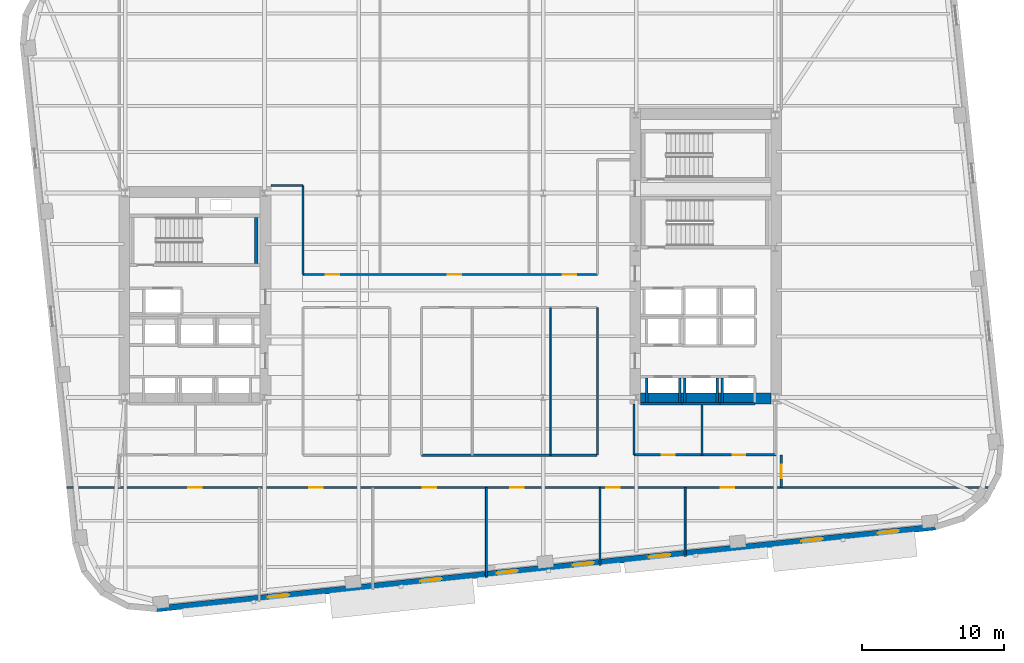
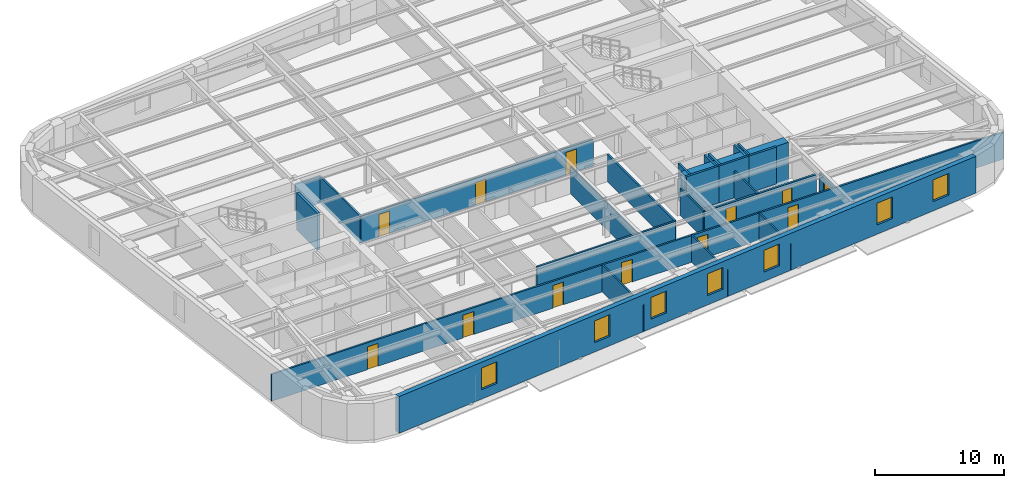
# One storey, part 5 of 11: 25 walls, 12 doors, 7 windows, 19 openings.
"""IFC4 building model written with IfcOpenShell, lengths in metres."""

from ifc_helpers import new_model, si_unit, direction, frame, frame_2d, origin, place, context, subcontext, project, spatial, rectangle, extrude, material, layer, layer_set, type_object, element, fill, save


model = new_model("IFC4")

# Units and contexts
model_context = context("Model", 3, precision=1e-05, world=origin(), true_north=direction((0.0, 1.0)))
body_context = subcontext(model_context, "Body", "Model", "MODEL_VIEW")
ifc_project = project(units=[si_unit("LENGTHUNIT", "METRE"), si_unit("AREAUNIT", "SQUARE_METRE"), si_unit("VOLUMEUNIT", "CUBIC_METRE"), si_unit("PLANEANGLEUNIT", "RADIAN"), si_unit("MASSUNIT", "GRAM", prefix="KILO")], contexts=[model_context])

# Site, building, storey
site_placement = place(None, origin())
site = spatial("IfcSite", under=ifc_project, at=site_placement, CompositionType="ELEMENT")
building_placement = place(site_placement, origin())
building = spatial("IfcBuilding", under=site, at=building_placement, Name="Kolvaren Arena Tower", CompositionType="ELEMENT")
storey_placement = place(building_placement, frame((0.0, 0.0, 103.449951171875)))
storey = spatial("IfcBuildingStorey", under=building, at=storey_placement, Name="L23", CompositionType="ELEMENT", Elevation=103.449951171875)

# Wall, openings, doors
ifc_material_1 = material(Name="Gypsum board acoustic assembly", Category="gypsum")
ifc_layer_1 = layer(ifc_material_1, 0.159912109375)
ifc_layer_set_1 = layer_set([ifc_layer_1], Name="Gypsum board acoustic assembly")
wall_type_1 = type_object("IfcWallType", Name="CORR-160", PredefinedType="PARTITIONING", material=ifc_layer_set_1)
wall_1_placement = place(storey_placement, frame((10.41552734375, 13.10009765625, 0.0), z_axis=(0.0, 0.0, 1.0), x_axis=(1.0, 0.0, 0.0)))
wall_1 = element("IfcWall", 1, at=wall_1_placement, inside=storey, type_object=wall_type_1, Name="Interior Partition Wall (L23)", PredefinedType="PARTITIONING", context=body_context, shape_type="SweptSolid", body=[
    extrude(rectangle(XDim=65.414794921875, YDim=0.159912109375, at=frame_2d((32.70751953125, 0.0))), origin(), (0.0, 0.0, 1.0), 2.5400390625),
])
opening_1_placement = place(wall_1_placement, frame((8.5595703125, 0.0, 0.0)))
opening_1 = element("IfcOpeningElement", 2, at=opening_1_placement, cuts=wall_1, Name="Opening D05", PredefinedType="OPENING", context=body_context, shape_type="SweptSolid", body=[
    extrude(rectangle(XDim=0.949951171875, YDim=2.14990234375, at=frame_2d((0.47509765625, 1.074951171875))), frame((0.0, 0.08984375, 0.0), z_axis=(0.0, -1.0, 0.0), x_axis=(1.0, 0.0, 0.0)), (0.0, 0.0, 1.0), 0.179931640625),
])
opening_2_placement = place(wall_1_placement, frame((17.109619140625, 0.0, 0.0)))
opening_2 = element("IfcOpeningElement", 3, at=opening_2_placement, cuts=wall_1, Name="Opening D05", PredefinedType="OPENING", context=body_context, shape_type="SweptSolid", body=[
    extrude(rectangle(XDim=0.949951171875, YDim=2.14990234375, at=frame_2d((0.47509765625, 1.074951171875))), frame((0.0, 0.08984375, 0.0), z_axis=(0.0, -1.0, 0.0), x_axis=(1.0, 0.0, 0.0)), (0.0, 0.0, 1.0), 0.179931640625),
])
opening_3_placement = place(wall_1_placement, frame((25.109619140625, 0.0, 0.0)))
opening_3 = element("IfcOpeningElement", 4, at=opening_3_placement, cuts=wall_1, Name="Opening D05", PredefinedType="OPENING", context=body_context, shape_type="SweptSolid", body=[
    extrude(rectangle(XDim=0.949951171875, YDim=2.14990234375, at=frame_2d((0.47509765625, 1.074951171875))), frame((0.0, 0.08984375, 0.0), z_axis=(0.0, -1.0, 0.0), x_axis=(1.0, 0.0, 0.0)), (0.0, 0.0, 1.0), 0.179931640625),
])
opening_4_placement = place(wall_1_placement, frame((31.259521484375, 0.0, 0.0)))
opening_4 = element("IfcOpeningElement", 5, at=opening_4_placement, cuts=wall_1, Name="Opening D05", PredefinedType="OPENING", context=body_context, shape_type="SweptSolid", body=[
    extrude(rectangle(XDim=0.949951171875, YDim=2.14990234375, at=frame_2d((0.47509765625, 1.074951171875))), frame((0.0, 0.08984375, 0.0), z_axis=(0.0, -1.0, 0.0), x_axis=(1.0, 0.0, 0.0)), (0.0, 0.0, 1.0), 0.179931640625),
])
opening_5_placement = place(wall_1_placement, frame((38.034423828125, 0.0, 0.0)))
opening_5 = element("IfcOpeningElement", 6, at=opening_5_placement, cuts=wall_1, Name="Opening D05", PredefinedType="OPENING", context=body_context, shape_type="SweptSolid", body=[
    extrude(rectangle(XDim=0.949951171875, YDim=2.14990234375, at=frame_2d((0.47509765625, 1.074951171875))), frame((0.0, 0.08984375, 0.0), z_axis=(0.0, -1.0, 0.0), x_axis=(1.0, 0.0, 0.0)), (0.0, 0.0, 1.0), 0.179931640625),
])
opening_6_placement = place(wall_1_placement, frame((46.109619140625, 0.0, 0.0)))
opening_6 = element("IfcOpeningElement", 7, at=opening_6_placement, cuts=wall_1, Name="Opening D05", PredefinedType="OPENING", context=body_context, shape_type="SweptSolid", body=[
    extrude(rectangle(XDim=0.949951171875, YDim=2.14990234375, at=frame_2d((0.47509765625, 1.074951171875))), frame((0.0, 0.08984375, 0.0), z_axis=(0.0, -1.0, 0.0), x_axis=(1.0, 0.0, 0.0)), (0.0, 0.0, 1.0), 0.179931640625),
])
ifc_material_2 = material(Name="Solid-core oak acoustic office door", Category="wood")
door_type_1 = type_object("IfcDoorType", Name="DOOR-OF-095", OperationType="NOTDEFINED", PredefinedType="DOOR", material=ifc_material_2)
door_1_placement = place(opening_1_placement, origin())
door_1 = element("IfcDoor", 8, at=door_1_placement, inside=storey, type_object=door_type_1, Name="Training Seminar Room Door (L23)", OperationType="SINGLE_SWING_LEFT", OverallHeight=2.14990234375, OverallWidth=0.949951171875, PredefinedType="DOOR", context=body_context, shape_type="SweptSolid", body=[
    extrude(rectangle(XDim=0.949951171875, YDim=2.14990234375, at=frame_2d((0.47509765625, 1.074951171875))), frame((0.0, 0.02490234375, 0.0), z_axis=(0.0, -1.0, 0.0), x_axis=(1.0, 0.0, 0.0)), (0.0, 0.0, 1.0), 0.050048828125),
])
fill(opening_1, door_1)
door_2_placement = place(opening_2_placement, origin())
door_2 = element("IfcDoor", 9, at=door_2_placement, inside=storey, type_object=door_type_1, Name="Training Seminar Room Door (L23)", OperationType="SINGLE_SWING_RIGHT", OverallHeight=2.14990234375, OverallWidth=0.949951171875, PredefinedType="DOOR", context=body_context, shape_type="SweptSolid", body=[
    extrude(rectangle(XDim=0.949951171875, YDim=2.14990234375, at=frame_2d((0.47509765625, 1.074951171875))), frame((0.0, 0.02490234375, 0.0), z_axis=(0.0, -1.0, 0.0), x_axis=(1.0, 0.0, 0.0)), (0.0, 0.0, 1.0), 0.050048828125),
])
fill(opening_2, door_2)
door_3_placement = place(opening_3_placement, origin())
door_3 = element("IfcDoor", 10, at=door_3_placement, inside=storey, type_object=door_type_1, Name="Client Lounge Door (L23)", OperationType="SINGLE_SWING_LEFT", OverallHeight=2.14990234375, OverallWidth=0.949951171875, PredefinedType="DOOR", context=body_context, shape_type="SweptSolid", body=[
    extrude(rectangle(XDim=0.949951171875, YDim=2.14990234375, at=frame_2d((0.47509765625, 1.074951171875))), frame((0.0, 0.02490234375, 0.0), z_axis=(0.0, -1.0, 0.0), x_axis=(1.0, 0.0, 0.0)), (0.0, 0.0, 1.0), 0.050048828125),
])
fill(opening_3, door_3)
door_4_placement = place(opening_4_placement, origin())
door_4 = element("IfcDoor", 11, at=door_4_placement, inside=storey, type_object=door_type_1, Name="Boardroom Door (L23)", OperationType="SINGLE_SWING_RIGHT", OverallHeight=2.14990234375, OverallWidth=0.949951171875, PredefinedType="DOOR", context=body_context, shape_type="SweptSolid", body=[
    extrude(rectangle(XDim=0.949951171875, YDim=2.14990234375, at=frame_2d((0.47509765625, 1.074951171875))), frame((0.0, 0.02490234375, 0.0), z_axis=(0.0, -1.0, 0.0), x_axis=(1.0, 0.0, 0.0)), (0.0, 0.0, 1.0), 0.050048828125),
])
fill(opening_4, door_4)
door_5_placement = place(opening_5_placement, origin())
door_5 = element("IfcDoor", 12, at=door_5_placement, inside=storey, type_object=door_type_1, Name="Breakout Pantry and Kitchen Door (L23)", OperationType="SINGLE_SWING_LEFT", OverallHeight=2.14990234375, OverallWidth=0.949951171875, PredefinedType="DOOR", context=body_context, shape_type="SweptSolid", body=[
    extrude(rectangle(XDim=0.949951171875, YDim=2.14990234375, at=frame_2d((0.47509765625, 1.074951171875))), frame((0.0, 0.02490234375, 0.0), z_axis=(0.0, -1.0, 0.0), x_axis=(1.0, 0.0, 0.0)), (0.0, 0.0, 1.0), 0.050048828125),
])
fill(opening_5, door_5)
door_6_placement = place(opening_6_placement, origin())
door_6 = element("IfcDoor", 13, at=door_6_placement, inside=storey, type_object=door_type_1, Name="Design Studio Door (L23)", OperationType="SINGLE_SWING_RIGHT", OverallHeight=2.14990234375, OverallWidth=0.949951171875, PredefinedType="DOOR", context=body_context, shape_type="SweptSolid", body=[
    extrude(rectangle(XDim=0.949951171875, YDim=2.14990234375, at=frame_2d((0.47509765625, 1.074951171875))), frame((0.0, 0.02490234375, 0.0), z_axis=(0.0, -1.0, 0.0), x_axis=(1.0, 0.0, 0.0)), (0.0, 0.0, 1.0), 0.050048828125),
])
fill(opening_6, door_6)

wall_2_placement = place(storey_placement, frame((27.080078125, 28.1201171875, 0.0), z_axis=(0.0, 0.0, 1.0), x_axis=(1.0, 0.0, 0.0)))
wall_2 = element("IfcWall", 14, at=wall_2_placement, inside=storey, type_object=wall_type_1, Name="Interior Partition Wall (L23)", PredefinedType="PARTITIONING", context=body_context, shape_type="SweptSolid", body=[
    extrude(rectangle(XDim=20.739990234375, YDim=0.159912109375, at=frame_2d((10.3701171875, 0.0))), origin(), (0.0, 0.0, 1.0), 2.5400390625),
])
opening_7_placement = place(wall_2_placement, frame((1.594970703125, 0.0, 0.0)))
opening_7 = element("IfcOpeningElement", 15, at=opening_7_placement, cuts=wall_2, Name="Opening D05", PredefinedType="OPENING", context=body_context, shape_type="SweptSolid", body=[
    extrude(rectangle(XDim=0.949951171875, YDim=2.14990234375, at=frame_2d((0.47509765625, 1.074951171875))), frame((0.0, 0.08984375, 0.0), z_axis=(0.0, -1.0, 0.0), x_axis=(1.0, 0.0, 0.0)), (0.0, 0.0, 1.0), 0.179931640625),
])
opening_8_placement = place(wall_2_placement, frame((10.195068359375, 0.0, 0.0)))
opening_8 = element("IfcOpeningElement", 16, at=opening_8_placement, cuts=wall_2, Name="Opening D05", PredefinedType="OPENING", context=body_context, shape_type="SweptSolid", body=[
    extrude(rectangle(XDim=0.949951171875, YDim=2.14990234375, at=frame_2d((0.47509765625, 1.074951171875))), frame((0.0, 0.08984375, 0.0), z_axis=(0.0, -1.0, 0.0), x_axis=(1.0, 0.0, 0.0)), (0.0, 0.0, 1.0), 0.179931640625),
])
opening_9_placement = place(wall_2_placement, frame((18.294921875, 0.0, 0.0)))
opening_9 = element("IfcOpeningElement", 17, at=opening_9_placement, cuts=wall_2, Name="Opening D05", PredefinedType="OPENING", context=body_context, shape_type="SweptSolid", body=[
    extrude(rectangle(XDim=0.949951171875, YDim=2.14990234375, at=frame_2d((0.47509765625, 1.074951171875))), frame((0.0, 0.08984375, 0.0), z_axis=(0.0, -1.0, 0.0), x_axis=(1.0, 0.0, 0.0)), (0.0, 0.0, 1.0), 0.179931640625),
])
door_7_placement = place(opening_7_placement, origin())
door_7 = element("IfcDoor", 18, at=door_7_placement, inside=storey, type_object=door_type_1, Name="Technical Engineering Office Door (L23)", OperationType="SINGLE_SWING_LEFT", OverallHeight=2.14990234375, OverallWidth=0.949951171875, PredefinedType="DOOR", context=body_context, shape_type="SweptSolid", body=[
    extrude(rectangle(XDim=0.949951171875, YDim=2.14990234375, at=frame_2d((0.47509765625, 1.074951171875))), frame((0.0, 0.02490234375, 0.0), z_axis=(0.0, -1.0, 0.0), x_axis=(1.0, 0.0, 0.0)), (0.0, 0.0, 1.0), 0.050048828125),
])
fill(opening_7, door_7)
door_8_placement = place(opening_8_placement, origin())
door_8 = element("IfcDoor", 19, at=door_8_placement, inside=storey, type_object=door_type_1, Name="Technical Engineering Office Door (L23)", OperationType="SINGLE_SWING_RIGHT", OverallHeight=2.14990234375, OverallWidth=0.949951171875, PredefinedType="DOOR", context=body_context, shape_type="SweptSolid", body=[
    extrude(rectangle(XDim=0.949951171875, YDim=2.14990234375, at=frame_2d((0.47509765625, 1.074951171875))), frame((0.0, 0.02490234375, 0.0), z_axis=(0.0, -1.0, 0.0), x_axis=(1.0, 0.0, 0.0)), (0.0, 0.0, 1.0), 0.050048828125),
])
fill(opening_8, door_8)
door_9_placement = place(opening_9_placement, origin())
door_9 = element("IfcDoor", 20, at=door_9_placement, inside=storey, type_object=door_type_1, Name="Open Plan Office Door (L23)", OperationType="SINGLE_SWING_LEFT", OverallHeight=2.14990234375, OverallWidth=0.949951171875, PredefinedType="DOOR", context=body_context, shape_type="SweptSolid", body=[
    extrude(rectangle(XDim=0.949951171875, YDim=2.14990234375, at=frame_2d((0.47509765625, 1.074951171875))), frame((0.0, 0.02490234375, 0.0), z_axis=(0.0, -1.0, 0.0), x_axis=(1.0, 0.0, 0.0)), (0.0, 0.0, 1.0), 0.050048828125),
])
fill(opening_9, door_9)

# Walls
wall_3_placement = place(storey_placement, frame((27.080078125, 28.1201171875, 0.0), z_axis=(0.0, 0.0, 1.0), x_axis=(0.0, 1.0, 0.0)))
element("IfcWall", 21, at=wall_3_placement, inside=storey, type_object=wall_type_1, Name="Interior Partition Wall (L23)", PredefinedType="PARTITIONING", context=body_context, shape_type="SweptSolid", body=[
    extrude(rectangle(XDim=6.259765625, YDim=0.159912109375, at=frame_2d((3.1298828125, 0.0))), origin(), (0.0, 0.0, 1.0), 2.5400390625),
])
wall_4_placement = place(storey_placement, frame((24.820068359375, 34.3798828125, 0.0), z_axis=(0.0, 0.0, 1.0), x_axis=(1.0, 0.0, 0.0)))
element("IfcWall", 22, at=wall_4_placement, inside=storey, type_object=wall_type_1, Name="Interior Partition Wall (L23)", PredefinedType="PARTITIONING", context=body_context, shape_type="SweptSolid", body=[
    extrude(rectangle(XDim=2.260009765625, YDim=0.159912109375, at=frame_2d((1.1298828125, 0.0))), origin(), (0.0, 0.0, 1.0), 2.5400390625),
])
wall_5_placement = place(storey_placement, frame((35.43994140625, 15.3798828125, 0.0), z_axis=(0.0, 0.0, 1.0), x_axis=(1.0, 0.0, 0.0)))
element("IfcWall", 23, at=wall_5_placement, inside=storey, type_object=wall_type_1, Name="Interior Partition Wall (L23)", PredefinedType="PARTITIONING", context=body_context, shape_type="SweptSolid", body=[
    extrude(rectangle(XDim=12.360107421875, YDim=0.159912109375, at=frame_2d((6.18017578125, 0.0))), origin(), (0.0, 0.0, 1.0), 2.5400390625),
])
wall_6_placement = place(storey_placement, frame((47.820068359375, 15.3798828125, 0.0), z_axis=(0.0, 0.0, 1.0), x_axis=(0.0, 1.0, 0.0)))
element("IfcWall", 24, at=wall_6_placement, inside=storey, type_object=wall_type_1, Name="Interior Partition Wall (L23)", PredefinedType="PARTITIONING", context=body_context, shape_type="SweptSolid", body=[
    extrude(rectangle(XDim=10.400146484375, YDim=0.159912109375, at=frame_2d((5.2001953125, 0.0))), origin(), (0.0, 0.0, 1.0), 2.5400390625),
])

# Wall, opening, door
wall_7_placement = place(storey_placement, frame((60.780029296875, 13.10009765625, 0.0), z_axis=(0.0, 0.0, 1.0), x_axis=(0.0, 1.0, 0.0)))
wall_7 = element("IfcWall", 25, at=wall_7_placement, inside=storey, type_object=wall_type_1, Name="Interior Partition Wall (L23)", PredefinedType="PARTITIONING", context=body_context, shape_type="SweptSolid", body=[
    extrude(rectangle(XDim=2.2998046875, YDim=0.159912109375, at=frame_2d((1.14990234375, 0.0))), origin(), (0.0, 0.0, 1.0), 2.5400390625),
])
opening_10_placement = place(wall_7_placement, frame((0.64990234375, 0.0, 0.0)))
opening_10 = element("IfcOpeningElement", 26, at=opening_10_placement, cuts=wall_7, Name="Opening D05", PredefinedType="OPENING", context=body_context, shape_type="SweptSolid", body=[
    extrude(rectangle(XDim=0.949951171875, YDim=2.14990234375, at=frame_2d((0.47509765625, 1.074951171875))), frame((0.0, 0.08984375, 0.0), z_axis=(0.0, -1.0, 0.0), x_axis=(1.0, 0.0, 0.0)), (0.0, 0.0, 1.0), 0.179931640625),
])
door_10_placement = place(opening_10_placement, origin())
door_10 = element("IfcDoor", 27, at=door_10_placement, inside=storey, type_object=door_type_1, Name="East Wing Studio Door (L23)", OperationType="SINGLE_SWING_RIGHT", OverallHeight=2.14990234375, OverallWidth=0.949951171875, PredefinedType="DOOR", context=body_context, shape_type="SweptSolid", body=[
    extrude(rectangle(XDim=0.949951171875, YDim=2.14990234375, at=frame_2d((0.47509765625, 1.074951171875))), frame((0.0, 0.02490234375, 0.0), z_axis=(0.0, -1.0, 0.0), x_axis=(1.0, 0.0, 0.0)), (0.0, 0.0, 1.0), 0.050048828125),
])
fill(opening_10, door_10)

# Wall
ifc_material_3 = material(Name="Concrete 70 MPa", Category="concrete")
ifc_layer_2 = layer(ifc_material_3, 0.75)
ifc_layer_set_2 = layer_set([ifc_layer_2], Name="Concrete 70 MPa")
wall_type_2 = type_object("IfcWallType", Name="CWALL-750", PredefinedType="SHEAR", material=ifc_layer_set_2)
wall_8_placement = place(storey_placement, frame((50.85009765625, 19.375, -0.27001953125), z_axis=(0.0, 0.0, 1.0), x_axis=(1.0, 0.0, 0.0)))
element("IfcWall", 28, at=wall_8_placement, inside=storey, type_object=wall_type_2, Name="Core Shear Wall EC-SOUTH (L23)", PredefinedType="SHEAR", context=body_context, shape_type="SweptSolid", body=[
    extrude(rectangle(XDim=9.199951171875, YDim=0.75, at=frame_2d((4.60009765625, 0.0))), origin(), (0.0, 0.0, 1.0), 3.75),
])

# Wall, openings, windows
ifc_material_4 = material(Name="Precast concrete C50/60", Category="concrete")
ifc_layer_3 = layer(ifc_material_4, 0.419921875)
ifc_layer_set_3 = layer_set([ifc_layer_3], Name="Precast concrete C50/60")
wall_type_3 = type_object("IfcWallType", Name="EXT-PIER1", PredefinedType="SOLIDWALL", material=ifc_layer_set_3)
wall_9_placement = place(storey_placement, frame((71.641357421875, 10.3203125, 0.0), z_axis=(0.0, 0.0, 1.0), x_axis=(-0.994521775062, -0.104529607897, 0.0)))
wall_9 = element("IfcWall", 29, at=wall_9_placement, inside=storey, type_object=wall_type_3, Name="Exterior Precast Masonry-Frame Wall (L23)", PredefinedType="SOLIDWALL", context=body_context, shape_type="SweptSolid", body=[
    extrude(rectangle(XDim=55.199951171875, YDim=0.419921875, at=frame_2d((27.60009765625, 0.0))), origin(), (0.0, 0.0, 1.0), 3.47998046875),
])
opening_11_placement = place(wall_9_placement, frame((2.60009765625, 0.0, 0.8798828125)))
opening_11 = element("IfcOpeningElement", 30, at=opening_11_placement, cuts=wall_9, Name="Opening W03", PredefinedType="OPENING", context=body_context, shape_type="SweptSolid", body=[
    extrude(rectangle(XDim=1.5, YDim=2.050048828125, at=frame_2d((0.75, 1.02490234375))), frame((0.0, 0.219970703125, 0.0), z_axis=(0.0, -1.0, 0.0), x_axis=(1.0, 0.0, 0.0)), (0.0, 0.0, 1.0), 0.43994140625),
])
opening_12_placement = place(wall_9_placement, frame((8.0, 0.0, 0.8798828125)))
opening_12 = element("IfcOpeningElement", 31, at=opening_12_placement, cuts=wall_9, Name="Opening W03", PredefinedType="OPENING", context=body_context, shape_type="SweptSolid", body=[
    extrude(rectangle(XDim=1.5, YDim=2.050048828125, at=frame_2d((0.75, 1.02490234375))), frame((0.0, 0.219970703125, 0.0), z_axis=(0.0, -1.0, 0.0), x_axis=(1.0, 0.0, 0.0)), (0.0, 0.0, 1.0), 0.43994140625),
])
opening_13_placement = place(wall_9_placement, frame((18.800048828125, 0.0, 0.8798828125)))
opening_13 = element("IfcOpeningElement", 32, at=opening_13_placement, cuts=wall_9, Name="Opening W03", PredefinedType="OPENING", context=body_context, shape_type="SweptSolid", body=[
    extrude(rectangle(XDim=1.5, YDim=2.050048828125, at=frame_2d((0.75, 1.02490234375))), frame((0.0, 0.219970703125, 0.0), z_axis=(0.0, -1.0, 0.0), x_axis=(1.0, 0.0, 0.0)), (0.0, 0.0, 1.0), 0.43994140625),
])
opening_14_placement = place(wall_9_placement, frame((24.199951171875, 0.0, 0.8798828125)))
opening_14 = element("IfcOpeningElement", 33, at=opening_14_placement, cuts=wall_9, Name="Opening W03", PredefinedType="OPENING", context=body_context, shape_type="SweptSolid", body=[
    extrude(rectangle(XDim=1.5, YDim=2.050048828125, at=frame_2d((0.75, 1.02490234375))), frame((0.0, 0.219970703125, 0.0), z_axis=(0.0, -1.0, 0.0), x_axis=(1.0, 0.0, 0.0)), (0.0, 0.0, 1.0), 0.43994140625),
])
opening_15_placement = place(wall_9_placement, frame((29.60009765625, 0.0, 0.8798828125)))
opening_15 = element("IfcOpeningElement", 34, at=opening_15_placement, cuts=wall_9, Name="Opening W03", PredefinedType="OPENING", context=body_context, shape_type="SweptSolid", body=[
    extrude(rectangle(XDim=1.5, YDim=2.050048828125, at=frame_2d((0.75, 1.02490234375))), frame((0.0, 0.219970703125, 0.0), z_axis=(0.0, -1.0, 0.0), x_axis=(1.0, 0.0, 0.0)), (0.0, 0.0, 1.0), 0.43994140625),
])
opening_16_placement = place(wall_9_placement, frame((35.0, 0.0, 0.8798828125)))
opening_16 = element("IfcOpeningElement", 35, at=opening_16_placement, cuts=wall_9, Name="Opening W03", PredefinedType="OPENING", context=body_context, shape_type="SweptSolid", body=[
    extrude(rectangle(XDim=1.5, YDim=2.050048828125, at=frame_2d((0.75, 1.02490234375))), frame((0.0, 0.219970703125, 0.0), z_axis=(0.0, -1.0, 0.0), x_axis=(1.0, 0.0, 0.0)), (0.0, 0.0, 1.0), 0.43994140625),
])
opening_17_placement = place(wall_9_placement, frame((45.800048828125, 0.0, 0.8798828125)))
opening_17 = element("IfcOpeningElement", 36, at=opening_17_placement, cuts=wall_9, Name="Opening W03", PredefinedType="OPENING", context=body_context, shape_type="SweptSolid", body=[
    extrude(rectangle(XDim=1.5, YDim=2.050048828125, at=frame_2d((0.75, 1.02490234375))), frame((0.0, 0.219970703125, 0.0), z_axis=(0.0, -1.0, 0.0), x_axis=(1.0, 0.0, 0.0)), (0.0, 0.0, 1.0), 0.43994140625),
])
ifc_material_5 = material(Name="Triple-glazed low-E aluminium window", Category="aluminium")
window_type = type_object("IfcWindowType", Name="WIN-OFF-C", PartitioningType="SINGLE_PANEL", PredefinedType="WINDOW", material=ifc_material_5)
window_1_placement = place(opening_11_placement, origin())
window_1 = element("IfcWindow", 37, at=window_1_placement, inside=storey, type_object=window_type, Name="Punched Precast-Pier Window (L23)", OverallHeight=2.050048828125, OverallWidth=1.5, PartitioningType="SINGLE_PANEL", PredefinedType="WINDOW", context=body_context, shape_type="SweptSolid", body=[
    extrude(rectangle(XDim=1.5, YDim=2.050048828125, at=frame_2d((0.75, 1.02490234375))), frame((0.0, 0.030029296875, 0.0), z_axis=(0.0, -1.0, 0.0), x_axis=(1.0, 0.0, 0.0)), (0.0, 0.0, 1.0), 0.06005859375),
])
fill(opening_11, window_1)
window_2_placement = place(opening_12_placement, origin())
window_2 = element("IfcWindow", 38, at=window_2_placement, inside=storey, type_object=window_type, Name="Punched Precast-Pier Window (L23)", OverallHeight=2.050048828125, OverallWidth=1.5, PartitioningType="SINGLE_PANEL", PredefinedType="WINDOW", context=body_context, shape_type="SweptSolid", body=[
    extrude(rectangle(XDim=1.5, YDim=2.050048828125, at=frame_2d((0.75, 1.02490234375))), frame((0.0, 0.030029296875, 0.0), z_axis=(0.0, -1.0, 0.0), x_axis=(1.0, 0.0, 0.0)), (0.0, 0.0, 1.0), 0.06005859375),
])
fill(opening_12, window_2)
window_3_placement = place(opening_13_placement, origin())
window_3 = element("IfcWindow", 39, at=window_3_placement, inside=storey, type_object=window_type, Name="Punched Precast-Pier Window (L23)", OverallHeight=2.050048828125, OverallWidth=1.5, PartitioningType="SINGLE_PANEL", PredefinedType="WINDOW", context=body_context, shape_type="SweptSolid", body=[
    extrude(rectangle(XDim=1.5, YDim=2.050048828125, at=frame_2d((0.75, 1.02490234375))), frame((0.0, 0.030029296875, 0.0), z_axis=(0.0, -1.0, 0.0), x_axis=(1.0, 0.0, 0.0)), (0.0, 0.0, 1.0), 0.06005859375),
])
fill(opening_13, window_3)
window_4_placement = place(opening_14_placement, origin())
window_4 = element("IfcWindow", 40, at=window_4_placement, inside=storey, type_object=window_type, Name="Punched Precast-Pier Window (L23)", OverallHeight=2.050048828125, OverallWidth=1.5, PartitioningType="SINGLE_PANEL", PredefinedType="WINDOW", context=body_context, shape_type="SweptSolid", body=[
    extrude(rectangle(XDim=1.5, YDim=2.050048828125, at=frame_2d((0.75, 1.02490234375))), frame((0.0, 0.030029296875, 0.0), z_axis=(0.0, -1.0, 0.0), x_axis=(1.0, 0.0, 0.0)), (0.0, 0.0, 1.0), 0.06005859375),
])
fill(opening_14, window_4)
window_5_placement = place(opening_15_placement, origin())
window_5 = element("IfcWindow", 41, at=window_5_placement, inside=storey, type_object=window_type, Name="Punched Precast-Pier Window (L23)", OverallHeight=2.050048828125, OverallWidth=1.5, PartitioningType="SINGLE_PANEL", PredefinedType="WINDOW", context=body_context, shape_type="SweptSolid", body=[
    extrude(rectangle(XDim=1.5, YDim=2.050048828125, at=frame_2d((0.75, 1.02490234375))), frame((0.0, 0.030029296875, 0.0), z_axis=(0.0, -1.0, 0.0), x_axis=(1.0, 0.0, 0.0)), (0.0, 0.0, 1.0), 0.06005859375),
])
fill(opening_15, window_5)
window_6_placement = place(opening_16_placement, origin())
window_6 = element("IfcWindow", 42, at=window_6_placement, inside=storey, type_object=window_type, Name="Punched Precast-Pier Window (L23)", OverallHeight=2.050048828125, OverallWidth=1.5, PartitioningType="SINGLE_PANEL", PredefinedType="WINDOW", context=body_context, shape_type="SweptSolid", body=[
    extrude(rectangle(XDim=1.5, YDim=2.050048828125, at=frame_2d((0.75, 1.02490234375))), frame((0.0, 0.030029296875, 0.0), z_axis=(0.0, -1.0, 0.0), x_axis=(1.0, 0.0, 0.0)), (0.0, 0.0, 1.0), 0.06005859375),
])
fill(opening_16, window_6)
window_7_placement = place(opening_17_placement, origin())
window_7 = element("IfcWindow", 43, at=window_7_placement, inside=storey, type_object=window_type, Name="Punched Precast-Pier Window (L23)", OverallHeight=2.050048828125, OverallWidth=1.5, PartitioningType="SINGLE_PANEL", PredefinedType="WINDOW", context=body_context, shape_type="SweptSolid", body=[
    extrude(rectangle(XDim=1.5, YDim=2.050048828125, at=frame_2d((0.75, 1.02490234375))), frame((0.0, 0.030029296875, 0.0), z_axis=(0.0, -1.0, 0.0), x_axis=(1.0, 0.0, 0.0)), (0.0, 0.0, 1.0), 0.06005859375),
])
fill(opening_17, window_7)

# Walls
ifc_material_6 = material(Name="Gypsum board partition assembly", Category="gypsum")
ifc_layer_4 = layer(ifc_material_6, 0.114990234375)
ifc_layer_set_4 = layer_set([ifc_layer_4], Name="Gypsum board partition assembly")
wall_type_4 = type_object("IfcWallType", Name="PART-115", PredefinedType="PARTITIONING", material=ifc_layer_set_4)
wall_10_placement = place(storey_placement, frame((44.5, 15.3798828125, 0.0), z_axis=(0.0, 0.0, 1.0), x_axis=(0.0, 1.0, 0.0)))
element("IfcWall", 44, at=wall_10_placement, inside=storey, type_object=wall_type_4, Name="Interior Partition Wall (L23)", PredefinedType="PARTITIONING", context=body_context, shape_type="SweptSolid", body=[
    extrude(rectangle(XDim=10.400146484375, YDim=0.114990234375, at=frame_2d((5.2001953125, 0.0))), origin(), (0.0, 0.0, 1.0), 2.5400390625),
])
ifc_layer_5 = layer(ifc_material_6, 0.135009765625)
ifc_layer_set_5 = layer_set([ifc_layer_5], Name="Gypsum board partition assembly")
wall_type_5 = type_object("IfcWallType", Name="PART-135", PredefinedType="PARTITIONING", material=ifc_layer_set_5)
wall_11_placement = place(storey_placement, frame((40.0, 6.78369140625, 0.0), z_axis=(0.0, 0.0, 1.0), x_axis=(0.0, 1.0, 0.0)))
element("IfcWall", 45, at=wall_11_placement, inside=storey, type_object=wall_type_5, Name="Interior Partition Wall (L23)", PredefinedType="PARTITIONING", context=body_context, shape_type="SweptSolid", body=[
    extrude(rectangle(XDim=6.31640625, YDim=0.135009765625, at=frame_2d((3.158203125, 0.0))), origin(), (0.0, 0.0, 1.0), 2.5400390625),
])
wall_12_placement = place(storey_placement, frame((48.0, 7.62451171875, 0.0), z_axis=(0.0, 0.0, 1.0), x_axis=(0.0, 1.0, 0.0)))
element("IfcWall", 46, at=wall_12_placement, inside=storey, type_object=wall_type_5, Name="Interior Partition Wall (L23)", PredefinedType="PARTITIONING", context=body_context, shape_type="SweptSolid", body=[
    extrude(rectangle(XDim=5.4755859375, YDim=0.135009765625, at=frame_2d((2.73779296875, 0.0))), origin(), (0.0, 0.0, 1.0), 2.5400390625),
])
wall_13_placement = place(storey_placement, frame((54.0, 8.2548828125, 0.0), z_axis=(0.0, 0.0, 1.0), x_axis=(0.0, 1.0, 0.0)))
element("IfcWall", 47, at=wall_13_placement, inside=storey, type_object=wall_type_5, Name="Interior Partition Wall (L23)", PredefinedType="PARTITIONING", context=body_context, shape_type="SweptSolid", body=[
    extrude(rectangle(XDim=4.84521484375, YDim=0.135009765625, at=frame_2d((2.422607421875, 0.0))), origin(), (0.0, 0.0, 1.0), 2.5400390625),
])
ifc_material_7 = material(Name="Concrete 45 MPa", Category="concrete")
ifc_layer_6 = layer(ifc_material_7, 0.25)
ifc_layer_set_6 = layer_set([ifc_layer_6], Name="Concrete 45 MPa")
wall_type_6 = type_object("IfcWallType", Name="SHAFT-250", PredefinedType="SOLIDWALL", material=ifc_layer_set_6)
wall_14_placement = place(storey_placement, frame((23.780029296875, 28.89990234375, 0.0), z_axis=(0.0, 0.0, 1.0), x_axis=(0.0, 1.0, 0.0)))
element("IfcWall", 48, at=wall_14_placement, inside=storey, type_object=wall_type_6, Name="Core Shaft Wall (L23)", PredefinedType="SOLIDWALL", context=body_context, shape_type="SweptSolid", body=[
    extrude(rectangle(XDim=3.22998046875, YDim=0.239990234375, at=frame_2d((1.614990234375, 0.0))), origin(), (0.0, 0.0, 1.0), 3.47998046875),
])
wall_15_placement = place(storey_placement, frame((50.85009765625, 18.9951171875, 0.0), z_axis=(0.0, 0.0, 1.0), x_axis=(1.0, 0.0, 0.0)))
element("IfcWall", 49, at=wall_15_placement, inside=storey, type_object=wall_type_6, Name="Core Shaft Wall (L23)", PredefinedType="SOLIDWALL", context=body_context, shape_type="SweptSolid", body=[
    extrude(rectangle(XDim=2.93994140625, YDim=0.179931640625, at=frame_2d((1.469970703125, 0.0))), origin(), (0.0, 0.0, 1.0), 3.47998046875),
])
for number, where, z_axis, x_axis, name in (
    (50, (51.304931640625, 19.0849609375, 0.0), (0.0, 0.0, 1.0), (0.0, 1.0, 0.0), "Core Shaft Wall (L23)"),
    (51, (53.614990234375, 19.0849609375, 0.0), (0.0, 0.0, 1.0), (0.0, 1.0, 0.0), "Core Shaft Wall (L23)"),
):
    element("IfcWall", number, at=place(storey_placement, frame(where, z_axis=z_axis, x_axis=x_axis)), inside=storey, type_object=wall_type_6, Name=name, PredefinedType="SOLIDWALL", context=body_context, shape_type="SweptSolid", body=[
        extrude(rectangle(XDim=1.72998046875, YDim=0.179931640625, at=frame_2d((0.864990234375, 0.0))), origin(), (0.0, 0.0, 1.0), 3.47998046875),
    ])
wall_16_placement = place(storey_placement, frame((53.7900390625, 18.9951171875, 0.0), z_axis=(0.0, 0.0, 1.0), x_axis=(1.0, 0.0, 0.0)))
element("IfcWall", 52, at=wall_16_placement, inside=storey, type_object=wall_type_6, Name="Core Shaft Wall (L23)", PredefinedType="SOLIDWALL", context=body_context, shape_type="SweptSolid", body=[
    extrude(rectangle(XDim=2.64990234375, YDim=0.179931640625, at=frame_2d((1.324951171875, 0.0))), origin(), (0.0, 0.0, 1.0), 3.47998046875),
])
for number, where, z_axis, x_axis, name in (
    (53, (53.965087890625, 19.0849609375, 0.0), (0.0, 0.0, 1.0), (0.0, 1.0, 0.0), "Core Shaft Wall (L23)"),
    (54, (56.27490234375, 19.0849609375, 0.0), (0.0, 0.0, 1.0), (0.0, 1.0, 0.0), "Core Shaft Wall (L23)"),
):
    element("IfcWall", number, at=place(storey_placement, frame(where, z_axis=z_axis, x_axis=x_axis)), inside=storey, type_object=wall_type_6, Name=name, PredefinedType="SOLIDWALL", context=body_context, shape_type="SweptSolid", body=[
        extrude(rectangle(XDim=1.72998046875, YDim=0.179931640625, at=frame_2d((0.864990234375, 0.0))), origin(), (0.0, 0.0, 1.0), 3.47998046875),
    ])
wall_17_placement = place(storey_placement, frame((56.43994140625, 18.9951171875, 0.0), z_axis=(0.0, 0.0, 1.0), x_axis=(1.0, 0.0, 0.0)))
element("IfcWall", 55, at=wall_17_placement, inside=storey, type_object=wall_type_6, Name="Core Shaft Wall (L23)", PredefinedType="SOLIDWALL", context=body_context, shape_type="SweptSolid", body=[
    extrude(rectangle(XDim=2.47509765625, YDim=0.179931640625, at=frame_2d((1.237548828125, 0.0))), origin(), (0.0, 0.0, 1.0), 3.47998046875),
])
wall_18_placement = place(storey_placement, frame((56.60498046875, 19.0849609375, 0.0), z_axis=(0.0, 0.0, 1.0), x_axis=(0.0, 1.0, 0.0)))
element("IfcWall", 56, at=wall_18_placement, inside=storey, type_object=wall_type_6, Name="Core Shaft Wall (L23)", PredefinedType="SOLIDWALL", context=body_context, shape_type="SweptSolid", body=[
    extrude(rectangle(XDim=1.72998046875, YDim=0.179931640625, at=frame_2d((0.864990234375, 0.0))), origin(), (0.0, 0.0, 1.0), 3.47998046875),
])

# Wall, openings, doors
wall_19_placement = place(storey_placement, frame((50.39990234375, 15.39990234375, 0.0), z_axis=(0.0, 0.0, 1.0), x_axis=(1.0, 0.0, 0.0)))
wall_19 = element("IfcWall", 57, at=wall_19_placement, inside=storey, type_object=wall_type_6, Name="Interior Partition Wall (L23)", PredefinedType="SOLIDWALL", context=body_context, shape_type="SweptSolid", body=[
    extrude(rectangle(XDim=10.0, YDim=0.179931640625, at=frame_2d((5.0, 0.0))), origin(), (0.0, 0.0, 1.0), 2.5400390625),
])
opening_18_placement = place(wall_19_placement, frame((1.93994140625, 0.0, 0.0)))
opening_18 = element("IfcOpeningElement", 58, at=opening_18_placement, cuts=wall_19, Name="Opening D07", PredefinedType="OPENING", context=body_context, shape_type="SweptSolid", body=[
    extrude(rectangle(XDim=0.919921875, YDim=2.10009765625, at=frame_2d((0.4599609375, 1.050048828125))), frame((0.0, 0.099853515625, 0.0), z_axis=(0.0, -1.0, 0.0), x_axis=(1.0, 0.0, 0.0)), (0.0, 0.0, 1.0), 0.199951171875),
])
opening_19_placement = place(wall_19_placement, frame((6.969970703125, 0.0, 0.0)))
opening_19 = element("IfcOpeningElement", 59, at=opening_19_placement, cuts=wall_19, Name="Opening D09", PredefinedType="OPENING", context=body_context, shape_type="SweptSolid", body=[
    extrude(rectangle(XDim=0.860107421875, YDim=2.050048828125, at=frame_2d((0.43017578125, 1.02490234375))), frame((0.0, 0.099853515625, 0.0), z_axis=(0.0, -1.0, 0.0), x_axis=(1.0, 0.0, 0.0)), (0.0, 0.0, 1.0), 0.199951171875),
])
ifc_material_8 = material(Name="Fire-rated steel riser access door", Category="steel")
door_type_2 = type_object("IfcDoorType", Name="DOOR-RS-086", OperationType="NOTDEFINED", PredefinedType="DOOR", material=ifc_material_8)
door_11_placement = place(opening_19_placement, origin())
door_11 = element("IfcDoor", 60, at=door_11_placement, inside=storey, type_object=door_type_2, Name="Electrical Riser Closet Door (L23)", OperationType="SINGLE_SWING_RIGHT", OverallHeight=2.050048828125, OverallWidth=0.860107421875, PredefinedType="DOOR", context=body_context, shape_type="SweptSolid", body=[
    extrude(rectangle(XDim=0.860107421875, YDim=2.050048828125, at=frame_2d((0.43017578125, 1.02490234375))), frame((0.0, 0.02490234375, 0.0), z_axis=(0.0, -1.0, 0.0), x_axis=(1.0, 0.0, 0.0)), (0.0, 0.0, 1.0), 0.050048828125),
])
fill(opening_19, door_11)
ifc_material_9 = material(Name="Laminate universal washroom door", Category="wood")
door_type_3 = type_object("IfcDoorType", Name="DOOR-WC-092", OperationType="NOTDEFINED", PredefinedType="DOOR", material=ifc_material_9)
door_12_placement = place(opening_18_placement, origin())
door_12 = element("IfcDoor", 61, at=door_12_placement, inside=storey, type_object=door_type_3, Name="Cleaner and Janitor Store Door (L23)", OperationType="SINGLE_SWING_LEFT", OverallHeight=2.10009765625, OverallWidth=0.919921875, PredefinedType="DOOR", context=body_context, shape_type="SweptSolid", body=[
    extrude(rectangle(XDim=0.919921875, YDim=2.10009765625, at=frame_2d((0.4599609375, 1.050048828125))), frame((0.0, 0.02490234375, 0.0), z_axis=(0.0, -1.0, 0.0), x_axis=(1.0, 0.0, 0.0)), (0.0, 0.0, 1.0), 0.050048828125),
])
fill(opening_18, door_12)

# Walls
ifc_material_10 = material(Name="Moisture-resistant gypsum assembly", Category="gypsum")
ifc_layer_7 = layer(ifc_material_10, 0.14990234375)
ifc_layer_set_7 = layer_set([ifc_layer_7], Name="Moisture-resistant gypsum assembly")
wall_type_7 = type_object("IfcWallType", Name="WETW-150", PredefinedType="PARTITIONING", material=ifc_layer_set_7)
for number, where, z_axis, x_axis, name in (
    (62, (55.199951171875, 15.39990234375, 0.0), (0.0, 0.0, 1.0), (0.0, 1.0, 0.0), "Interior Partition Wall (L23)"),
    (63, (50.39990234375, 15.39990234375, 0.0), (0.0, 0.0, 1.0), (0.0, 1.0, 0.0), "Interior Partition Wall (L23)"),
):
    element("IfcWall", number, at=place(storey_placement, frame(where, z_axis=z_axis, x_axis=x_axis)), inside=storey, type_object=wall_type_7, Name=name, PredefinedType="PARTITIONING", context=body_context, shape_type="SweptSolid", body=[
        extrude(rectangle(XDim=3.580078125, YDim=0.14990234375, at=frame_2d((1.7900390625, 0.0))), origin(), (0.0, 0.0, 1.0), 2.5400390625),
    ])

save(model, "model.ifc")
